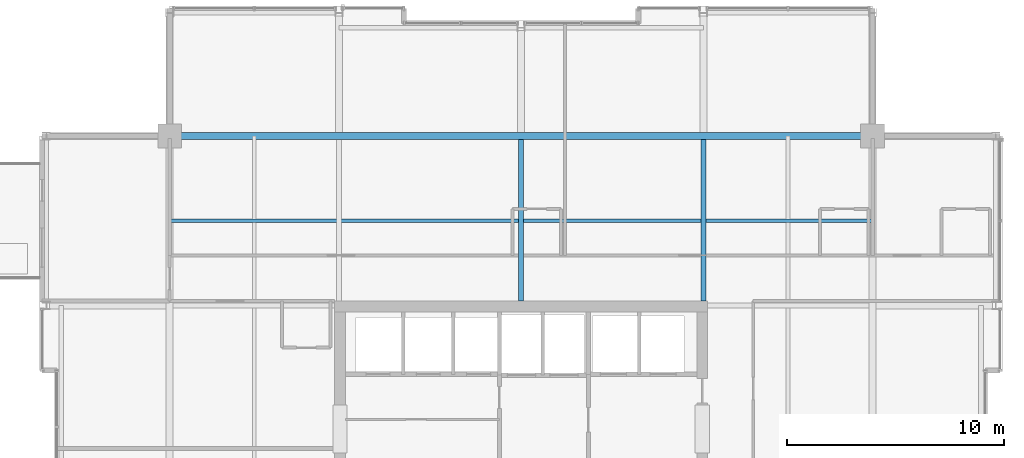
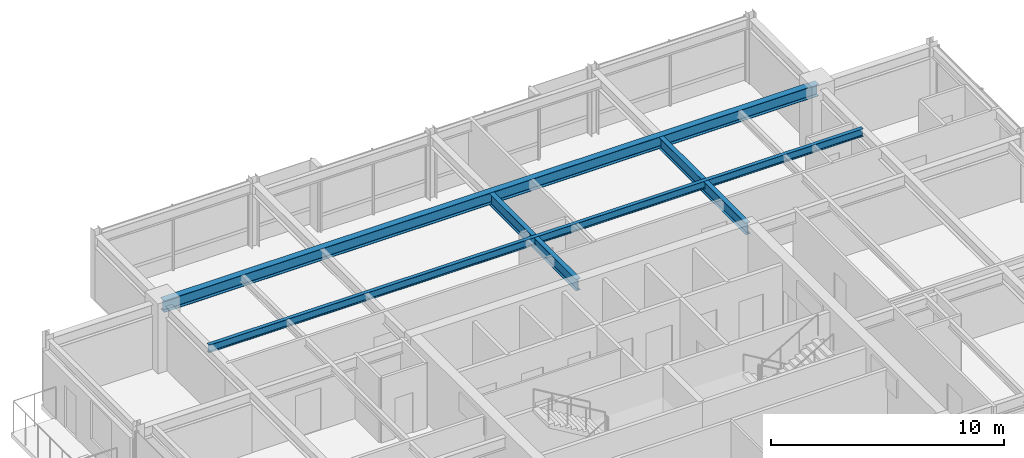
# One storey, part 22 of 33: 4 beams.
"""IFC4 building model written with IfcOpenShell, lengths in metres."""

from ifc_helpers import new_model, si_unit, direction, frame, origin, origin_2d, place, context, subcontext, project, spatial, i_section, extrude, material, material_profile, profile_set, type_object, element, save


model = new_model("IFC4")

# Units and contexts
model_context = context("Model", 3, precision=1e-05, world=origin(), true_north=direction((0.0, 1.0)))
body_context = subcontext(model_context, "Body", "Model", "MODEL_VIEW")
ifc_project = project(units=[si_unit("LENGTHUNIT", "METRE"), si_unit("AREAUNIT", "SQUARE_METRE"), si_unit("VOLUMEUNIT", "CUBIC_METRE"), si_unit("PLANEANGLEUNIT", "RADIAN"), si_unit("MASSUNIT", "GRAM", prefix="KILO")], contexts=[model_context])

# Site, building, storey
site_placement = place(None, origin())
site = spatial("IfcSite", under=ifc_project, at=site_placement, CompositionType="ELEMENT")
building_placement = place(site_placement, origin())
building = spatial("IfcBuilding", under=site, at=building_placement, Name="Drelvath Grand Hotel", CompositionType="ELEMENT")
storey_placement = place(building_placement, frame((0.0, 0.0, 275.949951171875)))
storey = spatial("IfcBuildingStorey", under=building, at=storey_placement, Name="L72", CompositionType="ELEMENT", Elevation=275.949951171875)

# Beams
ifc_material = material(Name="Steel ASTM A992 Gr 50", Category="steel")
ifc_material_profile_1 = material_profile(ifc_material, i_section(OverallWidth=0.177734375, OverallDepth=0.40673828125, WebThickness=0.0078125, FlangeThickness=0.0126953125, FilletRadius=0.014892578125, at=origin_2d()), Name="W16X40")
ifc_profile_set_1 = profile_set([ifc_material_profile_1], Name="Steel ASTM A992 Gr 50")
beam_type_1 = type_object("IfcBeamType", Name="Composite Floor Joist W16X40", PredefinedType="JOIST", material=ifc_profile_set_1)
beam_1_placement = place(storey_placement, frame((-16.199951171875, 39.300048828125, 3.186767578125), z_axis=(1.0, 0.0, 0.0), x_axis=(0.0, 1.0, 0.0)))
element("IfcBeam", 1, at=beam_1_placement, inside=storey, type_object=beam_type_1, Name="L72 Floor Joist J2", PredefinedType="JOIST", context=body_context, shape_type="SweptSolid", body=[
    extrude(i_section(OverallWidth=0.177734375, OverallDepth=0.40673828125, WebThickness=0.0078125, FlangeThickness=0.0126953125, FilletRadius=0.014892578125, at=origin_2d()), origin(), (0.0, 0.0, 1.0), 32.39990234375),
])
ifc_material_profile_2 = material_profile(ifc_material, i_section(OverallWidth=0.323974609375, OverallDepth=0.611083984375, WebThickness=0.0126953125, FlangeThickness=0.01904296875, FilletRadius=0.02197265625, at=origin_2d()), Name="W24X104")
ifc_profile_set_2 = profile_set([ifc_material_profile_2], Name="Steel ASTM A992 Gr 50")
beam_type_2 = type_object("IfcBeamType", Name="Primary Floor Girder W24X104", PredefinedType="BEAM", material=ifc_profile_set_2)
beam_2_placement = place(storey_placement, frame((-16.199951171875, 43.199951171875, 3.08447265625), z_axis=(1.0, 0.0, 0.0), x_axis=(0.0, 1.0, 0.0)))
element("IfcBeam", 2, at=beam_2_placement, inside=storey, type_object=beam_type_2, Name="L72 Mega Ring Girder North", PredefinedType="BEAM", context=body_context, shape_type="SweptSolid", body=[
    extrude(i_section(OverallWidth=0.323974609375, OverallDepth=0.611083984375, WebThickness=0.0126953125, FlangeThickness=0.01904296875, FilletRadius=0.02197265625, at=origin_2d()), origin(), (0.0, 0.0, 1.0), 32.39990234375),
])
ifc_material_profile_3 = material_profile(ifc_material, i_section(OverallWidth=0.228271484375, OverallDepth=0.607666015625, WebThickness=0.01123046875, FlangeThickness=0.017333984375, FilletRadius=0.02001953125, at=origin_2d()), Name="W24X76")
ifc_profile_set_3 = profile_set([ifc_material_profile_3], Name="Steel ASTM A992 Gr 50")
beam_type_3 = type_object("IfcBeamType", Name="Primary Floor Girder W24X76", PredefinedType="BEAM", material=ifc_profile_set_3)
for number, where, z_axis, x_axis, name in (
    (3, (0.0, 35.60009765625, 3.086181640625), (0.0, 1.0, 0.0), (-1.0, 0.0, 0.0), "L72 North Core Tie 5"),
    (4, (8.39990234375, 35.60009765625, 3.086181640625), (0.0, 1.0, 0.0), (-1.0, 0.0, 0.0), "L72 North Core Tie 6"),
):
    element("IfcBeam", number, at=place(storey_placement, frame(where, z_axis=z_axis, x_axis=x_axis)), inside=storey, type_object=beam_type_3, Name=name, PredefinedType="BEAM", context=body_context, shape_type="SweptSolid", body=[
        extrude(i_section(OverallWidth=0.228271484375, OverallDepth=0.607666015625, WebThickness=0.01123046875, FlangeThickness=0.017333984375, FilletRadius=0.02001953125, at=origin_2d()), origin(), (0.0, 0.0, 1.0), 7.43798828125),
    ])

save(model, "model.ifc")
